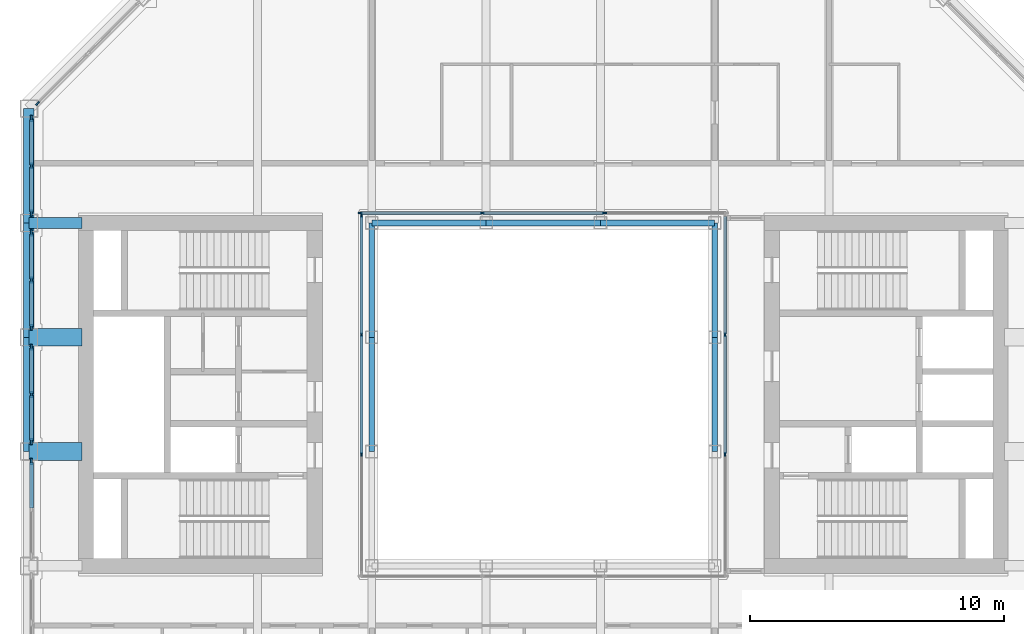
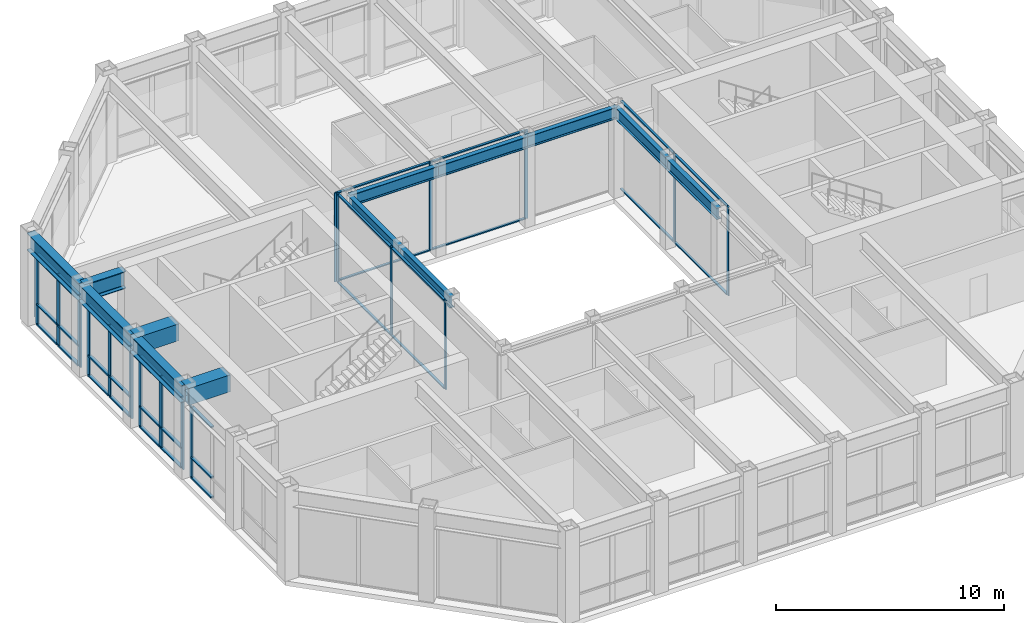
# One storey, part 4 of 15: 52 members, 13 beams, 8 elements without a shape of their own.
"""IFC4 building model written with IfcOpenShell, lengths in metres."""

from ifc_helpers import new_model, si_unit, direction, frame, origin, origin_2d, place, context, subcontext, project, spatial, rectangle, hollow_rectangle, i_section, extrude, material, material_profile, profile_set, type_object, element, aggregate, save


model = new_model("IFC4")

# Units and contexts
model_context = context("Model", 3, precision=1e-05, world=origin(), true_north=direction((0.0, 1.0)))
body_context = subcontext(model_context, "Body", "Model", "MODEL_VIEW")
ifc_project = project(units=[si_unit("LENGTHUNIT", "METRE"), si_unit("AREAUNIT", "SQUARE_METRE"), si_unit("VOLUMEUNIT", "CUBIC_METRE"), si_unit("PLANEANGLEUNIT", "RADIAN"), si_unit("MASSUNIT", "GRAM", prefix="KILO")], contexts=[model_context])

# Site, building, storey
site_placement = place(None, origin())
site = spatial("IfcSite", under=ifc_project, at=site_placement, CompositionType="ELEMENT")
building_placement = place(site_placement, origin())
building = spatial("IfcBuilding", under=site, at=building_placement, Name="Msasa Ring Tower", CompositionType="ELEMENT")
storey_placement = place(building_placement, frame((0.0, 0.0, 257.050048828125)))
storey = spatial("IfcBuildingStorey", under=building, at=storey_placement, Name="L67", CompositionType="ELEMENT", Elevation=257.050048828125)

# Curtain wall, member
ifc_material_1 = material(Name="Aluminium curtain wall with clear glass", Category="aluminium")
curtain_wall_type_1 = type_object("IfcCurtainWallType", Name="CW-C CHAMFER CORNER CURTAIN WALL", PredefinedType="NOTDEFINED", material=ifc_material_1)
curtain_wall_1_placement = place(storey_placement, origin())
curtain_wall_1 = element("IfcCurtainWall", 1, at=curtain_wall_1_placement, inside=storey, type_object=curtain_wall_type_1, Name="Chamfer corner curtain wall NW L67", PredefinedType="NOTDEFINED")
ifc_material_2 = material(Name="Aluminium mullion", Category="aluminium")
ifc_material_profile_1 = material_profile(ifc_material_2, rectangle(XDim=0.06494140625, YDim=0.179931640625, at=origin_2d()), Name="AL 65x180")
ifc_profile_set_1 = profile_set([ifc_material_profile_1], Name="Aluminium mullion")
member_type_1 = type_object("IfcMemberType", Name="CW-C MULLION 65x180", PredefinedType="MULLION", material=ifc_profile_set_1)
member_1_placement = place(storey_placement, frame((-19.9052734375, 11.453369140625, 0.0), z_axis=(0.0, 0.0, 1.0), x_axis=(0.707106781187, -0.707106781187, 0.0)))
member_1 = element("IfcMember", 2, at=member_1_placement, type_object=member_type_1, Name="CW-C mullion 3", PredefinedType="MULLION", context=body_context, shape_type="SweptSolid", body=[
    extrude(rectangle(XDim=0.06494140625, YDim=0.179931640625, at=origin_2d()), origin(), (0.0, 0.0, 1.0), 3.828857421875),
])
aggregate(curtain_wall_1, [member_1])

ifc_material_3 = material(Name="Aluminium curtain wall with clear glass", Category="aluminium")
curtain_wall_type_2 = type_object("IfcCurtainWallType", Name="CW-S SKY LOBBY CURTAIN WALL", PredefinedType="NOTDEFINED", material=ifc_material_3)
curtain_wall_2_placement = place(storey_placement, origin())
curtain_wall_2 = element("IfcCurtainWall", 3, at=curtain_wall_2_placement, inside=storey, type_object=curtain_wall_type_2, Name="Sky lobby curtain wall W L67", PredefinedType="NOTDEFINED")
ifc_material_4 = material(Name="Aluminium mullion", Category="aluminium")
ifc_material_profile_2 = material_profile(ifc_material_4, rectangle(XDim=0.074951171875, YDim=0.25, at=origin_2d()), Name="AL 75x250")
ifc_profile_set_2 = profile_set([ifc_material_profile_2], Name="Aluminium mullion")
member_type_2 = type_object("IfcMemberType", Name="CW-S MULLION 75x250", PredefinedType="MULLION", material=ifc_profile_set_2)
member_2_placement = place(storey_placement, frame((-20.14990234375, -2.642578125, 0.0), z_axis=(0.0, 0.0, 1.0), x_axis=(-1.0, 0.0, 0.0)))
member_2 = element("IfcMember", 4, at=member_2_placement, type_object=member_type_2, Name="CW-S mullion 3", PredefinedType="MULLION", context=body_context, shape_type="SweptSolid", body=[
    extrude(rectangle(XDim=0.074951171875, YDim=0.25, at=origin_2d()), origin(), (0.0, 0.0, 1.0), 3.828857421875),
])

# Curtain wall, members
curtain_wall_3_placement = place(storey_placement, origin())
curtain_wall_3 = element("IfcCurtainWall", 5, at=curtain_wall_3_placement, inside=storey, type_object=curtain_wall_type_2, Name="Sky lobby curtain wall W L67", PredefinedType="NOTDEFINED")
member_3_placement = place(storey_placement, frame((-20.14990234375, -1.857421875, 0.0), z_axis=(0.0, 0.0, 1.0), x_axis=(-1.0, 0.0, 0.0)))
member_3 = element("IfcMember", 6, at=member_3_placement, type_object=member_type_2, Name="CW-S mullion 1", PredefinedType="MULLION", context=body_context, shape_type="SweptSolid", body=[
    extrude(rectangle(XDim=0.074951171875, YDim=0.25, at=origin_2d()), origin(), (0.0, 0.0, 1.0), 3.828857421875),
])
member_4_placement = place(storey_placement, frame((-20.14990234375, 0.0, 0.0), z_axis=(0.0, 0.0, 1.0), x_axis=(-1.0, 0.0, 0.0)))
member_4 = element("IfcMember", 7, at=member_4_placement, type_object=member_type_2, Name="CW-S mullion 2", PredefinedType="MULLION", context=body_context, shape_type="SweptSolid", body=[
    extrude(rectangle(XDim=0.074951171875, YDim=0.25, at=origin_2d()), origin(), (0.0, 0.0, 1.0), 3.828857421875),
])
member_5_placement = place(storey_placement, frame((-20.14990234375, 1.857421875, 0.0), z_axis=(0.0, 0.0, 1.0), x_axis=(-1.0, 0.0, 0.0)))
member_5 = element("IfcMember", 8, at=member_5_placement, type_object=member_type_2, Name="CW-S mullion 3", PredefinedType="MULLION", context=body_context, shape_type="SweptSolid", body=[
    extrude(rectangle(XDim=0.074951171875, YDim=0.25, at=origin_2d()), origin(), (0.0, 0.0, 1.0), 3.828857421875),
])

curtain_wall_4_placement = place(storey_placement, origin())
curtain_wall_4 = element("IfcCurtainWall", 9, at=curtain_wall_4_placement, inside=storey, type_object=curtain_wall_type_2, Name="Sky lobby curtain wall W L67", PredefinedType="NOTDEFINED")
member_6_placement = place(storey_placement, frame((-20.14990234375, 2.642578125, 0.0), z_axis=(0.0, 0.0, 1.0), x_axis=(-1.0, 0.0, 0.0)))
member_6 = element("IfcMember", 10, at=member_6_placement, type_object=member_type_2, Name="CW-S mullion 1", PredefinedType="MULLION", context=body_context, shape_type="SweptSolid", body=[
    extrude(rectangle(XDim=0.074951171875, YDim=0.25, at=origin_2d()), origin(), (0.0, 0.0, 1.0), 3.828857421875),
])
member_7_placement = place(storey_placement, frame((-20.14990234375, 4.5, 0.0), z_axis=(0.0, 0.0, 1.0), x_axis=(-1.0, 0.0, 0.0)))
member_7 = element("IfcMember", 11, at=member_7_placement, type_object=member_type_2, Name="CW-S mullion 2", PredefinedType="MULLION", context=body_context, shape_type="SweptSolid", body=[
    extrude(rectangle(XDim=0.074951171875, YDim=0.25, at=origin_2d()), origin(), (0.0, 0.0, 1.0), 3.828857421875),
])
member_8_placement = place(storey_placement, frame((-20.14990234375, 6.357421875, 0.0), z_axis=(0.0, 0.0, 1.0), x_axis=(-1.0, 0.0, 0.0)))
member_8 = element("IfcMember", 12, at=member_8_placement, type_object=member_type_2, Name="CW-S mullion 3", PredefinedType="MULLION", context=body_context, shape_type="SweptSolid", body=[
    extrude(rectangle(XDim=0.074951171875, YDim=0.25, at=origin_2d()), origin(), (0.0, 0.0, 1.0), 3.828857421875),
])

curtain_wall_5_placement = place(storey_placement, origin())
curtain_wall_5 = element("IfcCurtainWall", 13, at=curtain_wall_5_placement, inside=storey, type_object=curtain_wall_type_2, Name="Sky lobby curtain wall W L67", PredefinedType="NOTDEFINED")
member_9_placement = place(storey_placement, frame((-20.14990234375, 7.142578125, 0.0), z_axis=(0.0, 0.0, 1.0), x_axis=(-1.0, 0.0, 0.0)))
member_9 = element("IfcMember", 14, at=member_9_placement, type_object=member_type_2, Name="CW-S mullion 1", PredefinedType="MULLION", context=body_context, shape_type="SweptSolid", body=[
    extrude(rectangle(XDim=0.074951171875, YDim=0.25, at=origin_2d()), origin(), (0.0, 0.0, 1.0), 3.828857421875),
])
member_10_placement = place(storey_placement, frame((-20.14990234375, 9.0, 0.0), z_axis=(0.0, 0.0, 1.0), x_axis=(-1.0, 0.0, 0.0)))
member_10 = element("IfcMember", 15, at=member_10_placement, type_object=member_type_2, Name="CW-S mullion 2", PredefinedType="MULLION", context=body_context, shape_type="SweptSolid", body=[
    extrude(rectangle(XDim=0.074951171875, YDim=0.25, at=origin_2d()), origin(), (0.0, 0.0, 1.0), 3.828857421875),
])
member_11_placement = place(storey_placement, frame((-20.14990234375, 10.857421875, 0.0), z_axis=(0.0, 0.0, 1.0), x_axis=(-1.0, 0.0, 0.0)))
member_11 = element("IfcMember", 16, at=member_11_placement, type_object=member_type_2, Name="CW-S mullion 3", PredefinedType="MULLION", context=body_context, shape_type="SweptSolid", body=[
    extrude(rectangle(XDim=0.074951171875, YDim=0.25, at=origin_2d()), origin(), (0.0, 0.0, 1.0), 3.828857421875),
])

# Member
ifc_material_5 = material(Name="Aluminium transom", Category="aluminium")
ifc_material_profile_3 = material_profile(ifc_material_5, rectangle(XDim=0.159912109375, YDim=0.074951171875, at=origin_2d()), Name="AL 75x160")
ifc_profile_set_3 = profile_set([ifc_material_profile_3], Name="Aluminium transom")
member_type_3 = type_object("IfcMemberType", Name="CW-S TRANSOM 75x160", PredefinedType="USERDEFINED", material=ifc_profile_set_3)
member_12_placement = place(storey_placement, frame((-20.14990234375, -4.46240234375, 0.037353515625), z_axis=(0.0, 1.0, 0.0), x_axis=(-1.0, 0.0, 0.0)))
member_12 = element("IfcMember", 17, at=member_12_placement, type_object=member_type_3, Name="CW-S transom 2.1", ObjectType="TRANSOM", PredefinedType="USERDEFINED", context=body_context, shape_type="SweptSolid", body=[
    extrude(rectangle(XDim=0.159912109375, YDim=0.074951171875, at=origin_2d()), origin(), (0.0, 0.0, 1.0), 1.782470703125),
])

member_13_placement = place(storey_placement, frame((-20.14990234375, -4.46240234375, 1.099853515625), z_axis=(0.0, 1.0, 0.0), x_axis=(-1.0, 0.0, 0.0)))
member_13 = element("IfcMember", 18, at=member_13_placement, type_object=member_type_3, Name="CW-S transom 2.2", ObjectType="TRANSOM", PredefinedType="USERDEFINED", context=body_context, shape_type="SweptSolid", body=[
    extrude(rectangle(XDim=0.159912109375, YDim=0.074951171875, at=origin_2d()), origin(), (0.0, 0.0, 1.0), 1.782470703125),
])

member_14_placement = place(storey_placement, frame((-20.14990234375, -4.46240234375, 3.79150390625), z_axis=(0.0, 1.0, 0.0), x_axis=(-1.0, 0.0, 0.0)))
member_14 = element("IfcMember", 19, at=member_14_placement, type_object=member_type_3, Name="CW-S transom 2.3", ObjectType="TRANSOM", PredefinedType="USERDEFINED", context=body_context, shape_type="SweptSolid", body=[
    extrude(rectangle(XDim=0.159912109375, YDim=0.074951171875, at=origin_2d()), origin(), (0.0, 0.0, 1.0), 1.782470703125),
])

aggregate(curtain_wall_2, [member_2, member_12, member_13, member_14])

member_15_placement = place(storey_placement, frame((-20.14990234375, -1.820068359375, 0.037353515625), z_axis=(0.0, 1.0, 0.0), x_axis=(-1.0, 0.0, 0.0)))
member_15 = element("IfcMember", 20, at=member_15_placement, type_object=member_type_3, Name="CW-S transom 1.1", ObjectType="TRANSOM", PredefinedType="USERDEFINED", context=body_context, shape_type="SweptSolid", body=[
    extrude(rectangle(XDim=0.159912109375, YDim=0.074951171875, at=origin_2d()), origin(), (0.0, 0.0, 1.0), 1.782470703125),
])

member_16_placement = place(storey_placement, frame((-20.14990234375, -1.820068359375, 1.099853515625), z_axis=(0.0, 1.0, 0.0), x_axis=(-1.0, 0.0, 0.0)))
member_16 = element("IfcMember", 21, at=member_16_placement, type_object=member_type_3, Name="CW-S transom 1.2", ObjectType="TRANSOM", PredefinedType="USERDEFINED", context=body_context, shape_type="SweptSolid", body=[
    extrude(rectangle(XDim=0.159912109375, YDim=0.074951171875, at=origin_2d()), origin(), (0.0, 0.0, 1.0), 1.782470703125),
])

member_17_placement = place(storey_placement, frame((-20.14990234375, -1.820068359375, 3.79150390625), z_axis=(0.0, 1.0, 0.0), x_axis=(-1.0, 0.0, 0.0)))
member_17 = element("IfcMember", 22, at=member_17_placement, type_object=member_type_3, Name="CW-S transom 1.3", ObjectType="TRANSOM", PredefinedType="USERDEFINED", context=body_context, shape_type="SweptSolid", body=[
    extrude(rectangle(XDim=0.159912109375, YDim=0.074951171875, at=origin_2d()), origin(), (0.0, 0.0, 1.0), 1.782470703125),
])

member_18_placement = place(storey_placement, frame((-20.14990234375, 0.03759765625, 0.037353515625), z_axis=(0.0, 1.0, 0.0), x_axis=(-1.0, 0.0, 0.0)))
member_18 = element("IfcMember", 23, at=member_18_placement, type_object=member_type_3, Name="CW-S transom 2.1", ObjectType="TRANSOM", PredefinedType="USERDEFINED", context=body_context, shape_type="SweptSolid", body=[
    extrude(rectangle(XDim=0.159912109375, YDim=0.074951171875, at=origin_2d()), origin(), (0.0, 0.0, 1.0), 1.782470703125),
])

member_19_placement = place(storey_placement, frame((-20.14990234375, 0.03759765625, 1.099853515625), z_axis=(0.0, 1.0, 0.0), x_axis=(-1.0, 0.0, 0.0)))
member_19 = element("IfcMember", 24, at=member_19_placement, type_object=member_type_3, Name="CW-S transom 2.2", ObjectType="TRANSOM", PredefinedType="USERDEFINED", context=body_context, shape_type="SweptSolid", body=[
    extrude(rectangle(XDim=0.159912109375, YDim=0.074951171875, at=origin_2d()), origin(), (0.0, 0.0, 1.0), 1.782470703125),
])

member_20_placement = place(storey_placement, frame((-20.14990234375, 0.03759765625, 3.79150390625), z_axis=(0.0, 1.0, 0.0), x_axis=(-1.0, 0.0, 0.0)))
member_20 = element("IfcMember", 25, at=member_20_placement, type_object=member_type_3, Name="CW-S transom 2.3", ObjectType="TRANSOM", PredefinedType="USERDEFINED", context=body_context, shape_type="SweptSolid", body=[
    extrude(rectangle(XDim=0.159912109375, YDim=0.074951171875, at=origin_2d()), origin(), (0.0, 0.0, 1.0), 1.782470703125),
])

aggregate(curtain_wall_3, [member_3, member_4, member_5, member_15, member_16, member_17, member_18, member_19, member_20])

member_21_placement = place(storey_placement, frame((-20.14990234375, 2.679931640625, 0.037353515625), z_axis=(0.0, 1.0, 0.0), x_axis=(-1.0, 0.0, 0.0)))
member_21 = element("IfcMember", 26, at=member_21_placement, type_object=member_type_3, Name="CW-S transom 1.1", ObjectType="TRANSOM", PredefinedType="USERDEFINED", context=body_context, shape_type="SweptSolid", body=[
    extrude(rectangle(XDim=0.159912109375, YDim=0.074951171875, at=origin_2d()), origin(), (0.0, 0.0, 1.0), 1.782470703125),
])

member_22_placement = place(storey_placement, frame((-20.14990234375, 2.679931640625, 1.099853515625), z_axis=(0.0, 1.0, 0.0), x_axis=(-1.0, 0.0, 0.0)))
member_22 = element("IfcMember", 27, at=member_22_placement, type_object=member_type_3, Name="CW-S transom 1.2", ObjectType="TRANSOM", PredefinedType="USERDEFINED", context=body_context, shape_type="SweptSolid", body=[
    extrude(rectangle(XDim=0.159912109375, YDim=0.074951171875, at=origin_2d()), origin(), (0.0, 0.0, 1.0), 1.782470703125),
])

member_23_placement = place(storey_placement, frame((-20.14990234375, 2.679931640625, 3.79150390625), z_axis=(0.0, 1.0, 0.0), x_axis=(-1.0, 0.0, 0.0)))
member_23 = element("IfcMember", 28, at=member_23_placement, type_object=member_type_3, Name="CW-S transom 1.3", ObjectType="TRANSOM", PredefinedType="USERDEFINED", context=body_context, shape_type="SweptSolid", body=[
    extrude(rectangle(XDim=0.159912109375, YDim=0.074951171875, at=origin_2d()), origin(), (0.0, 0.0, 1.0), 1.782470703125),
])

member_24_placement = place(storey_placement, frame((-20.14990234375, 4.53759765625, 0.037353515625), z_axis=(0.0, 1.0, 0.0), x_axis=(-1.0, 0.0, 0.0)))
member_24 = element("IfcMember", 29, at=member_24_placement, type_object=member_type_3, Name="CW-S transom 2.1", ObjectType="TRANSOM", PredefinedType="USERDEFINED", context=body_context, shape_type="SweptSolid", body=[
    extrude(rectangle(XDim=0.159912109375, YDim=0.074951171875, at=origin_2d()), origin(), (0.0, 0.0, 1.0), 1.782470703125),
])

member_25_placement = place(storey_placement, frame((-20.14990234375, 4.53759765625, 1.099853515625), z_axis=(0.0, 1.0, 0.0), x_axis=(-1.0, 0.0, 0.0)))
member_25 = element("IfcMember", 30, at=member_25_placement, type_object=member_type_3, Name="CW-S transom 2.2", ObjectType="TRANSOM", PredefinedType="USERDEFINED", context=body_context, shape_type="SweptSolid", body=[
    extrude(rectangle(XDim=0.159912109375, YDim=0.074951171875, at=origin_2d()), origin(), (0.0, 0.0, 1.0), 1.782470703125),
])

member_26_placement = place(storey_placement, frame((-20.14990234375, 4.53759765625, 3.79150390625), z_axis=(0.0, 1.0, 0.0), x_axis=(-1.0, 0.0, 0.0)))
member_26 = element("IfcMember", 31, at=member_26_placement, type_object=member_type_3, Name="CW-S transom 2.3", ObjectType="TRANSOM", PredefinedType="USERDEFINED", context=body_context, shape_type="SweptSolid", body=[
    extrude(rectangle(XDim=0.159912109375, YDim=0.074951171875, at=origin_2d()), origin(), (0.0, 0.0, 1.0), 1.782470703125),
])

aggregate(curtain_wall_4, [member_6, member_7, member_8, member_21, member_22, member_23, member_24, member_25, member_26])

member_27_placement = place(storey_placement, frame((-20.14990234375, 7.179931640625, 0.037353515625), z_axis=(0.0, 1.0, 0.0), x_axis=(-1.0, 0.0, 0.0)))
member_27 = element("IfcMember", 32, at=member_27_placement, type_object=member_type_3, Name="CW-S transom 1.1", ObjectType="TRANSOM", PredefinedType="USERDEFINED", context=body_context, shape_type="SweptSolid", body=[
    extrude(rectangle(XDim=0.159912109375, YDim=0.074951171875, at=origin_2d()), origin(), (0.0, 0.0, 1.0), 1.782470703125),
])

member_28_placement = place(storey_placement, frame((-20.14990234375, 7.179931640625, 1.099853515625), z_axis=(0.0, 1.0, 0.0), x_axis=(-1.0, 0.0, 0.0)))
member_28 = element("IfcMember", 33, at=member_28_placement, type_object=member_type_3, Name="CW-S transom 1.2", ObjectType="TRANSOM", PredefinedType="USERDEFINED", context=body_context, shape_type="SweptSolid", body=[
    extrude(rectangle(XDim=0.159912109375, YDim=0.074951171875, at=origin_2d()), origin(), (0.0, 0.0, 1.0), 1.782470703125),
])

member_29_placement = place(storey_placement, frame((-20.14990234375, 7.179931640625, 3.79150390625), z_axis=(0.0, 1.0, 0.0), x_axis=(-1.0, 0.0, 0.0)))
member_29 = element("IfcMember", 34, at=member_29_placement, type_object=member_type_3, Name="CW-S transom 1.3", ObjectType="TRANSOM", PredefinedType="USERDEFINED", context=body_context, shape_type="SweptSolid", body=[
    extrude(rectangle(XDim=0.159912109375, YDim=0.074951171875, at=origin_2d()), origin(), (0.0, 0.0, 1.0), 1.782470703125),
])

member_30_placement = place(storey_placement, frame((-20.14990234375, 9.03759765625, 0.037353515625), z_axis=(0.0, 1.0, 0.0), x_axis=(-1.0, 0.0, 0.0)))
member_30 = element("IfcMember", 35, at=member_30_placement, type_object=member_type_3, Name="CW-S transom 2.1", ObjectType="TRANSOM", PredefinedType="USERDEFINED", context=body_context, shape_type="SweptSolid", body=[
    extrude(rectangle(XDim=0.159912109375, YDim=0.074951171875, at=origin_2d()), origin(), (0.0, 0.0, 1.0), 1.782470703125),
])

member_31_placement = place(storey_placement, frame((-20.14990234375, 9.03759765625, 1.099853515625), z_axis=(0.0, 1.0, 0.0), x_axis=(-1.0, 0.0, 0.0)))
member_31 = element("IfcMember", 36, at=member_31_placement, type_object=member_type_3, Name="CW-S transom 2.2", ObjectType="TRANSOM", PredefinedType="USERDEFINED", context=body_context, shape_type="SweptSolid", body=[
    extrude(rectangle(XDim=0.159912109375, YDim=0.074951171875, at=origin_2d()), origin(), (0.0, 0.0, 1.0), 1.782470703125),
])

member_32_placement = place(storey_placement, frame((-20.14990234375, 9.03759765625, 3.79150390625), z_axis=(0.0, 1.0, 0.0), x_axis=(-1.0, 0.0, 0.0)))
member_32 = element("IfcMember", 37, at=member_32_placement, type_object=member_type_3, Name="CW-S transom 2.3", ObjectType="TRANSOM", PredefinedType="USERDEFINED", context=body_context, shape_type="SweptSolid", body=[
    extrude(rectangle(XDim=0.159912109375, YDim=0.074951171875, at=origin_2d()), origin(), (0.0, 0.0, 1.0), 1.782470703125),
])

aggregate(curtain_wall_5, [member_9, member_10, member_11, member_27, member_28, member_29, member_30, member_31, member_32])

# Curtain wall, members
ifc_material_6 = material(Name="Aluminium curtain wall with clear glass", Category="aluminium")
curtain_wall_type_3 = type_object("IfcCurtainWallType", Name="CW-W LIGHT WELL CURTAIN WALL", PredefinedType="NOTDEFINED", material=ifc_material_6)
curtain_wall_6_placement = place(storey_placement, origin())
curtain_wall_6 = element("IfcCurtainWall", 38, at=curtain_wall_6_placement, inside=storey, type_object=curtain_wall_type_3, Name="Light well curtain wall N L67", PredefinedType="NOTDEFINED")
ifc_material_7 = material(Name="Aluminium mullion", Category="aluminium")
ifc_material_profile_4 = material_profile(ifc_material_7, rectangle(XDim=0.06005859375, YDim=0.159912109375, at=origin_2d()), Name="AL 60x160")
ifc_profile_set_4 = profile_set([ifc_material_profile_4], Name="Aluminium mullion")
member_type_4 = type_object("IfcMemberType", Name="CW-W MULLION 60x160", PredefinedType="MULLION", material=ifc_profile_set_4)
member_33_placement = place(storey_placement, frame((-7.199951171875, 7.14990234375, 0.0), z_axis=(0.0, 0.0, 1.0), x_axis=(0.0, 1.0, 0.0)))
member_33 = element("IfcMember", 39, at=member_33_placement, type_object=member_type_4, Name="CW-W mullion 1", PredefinedType="MULLION", context=body_context, shape_type="SweptSolid", body=[
    extrude(rectangle(XDim=0.06005859375, YDim=0.159912109375, at=origin_2d()), origin(), (0.0, 0.0, 1.0), 4.75),
])
member_34_placement = place(storey_placement, frame((-2.409912109375, 7.14990234375, 0.0), z_axis=(0.0, 0.0, 1.0), x_axis=(0.0, 1.0, 0.0)))
member_34 = element("IfcMember", 40, at=member_34_placement, type_object=member_type_4, Name="CW-W mullion 2", PredefinedType="MULLION", context=body_context, shape_type="SweptSolid", body=[
    extrude(rectangle(XDim=0.06005859375, YDim=0.159912109375, at=origin_2d()), origin(), (0.0, 0.0, 1.0), 4.75),
])
member_35_placement = place(storey_placement, frame((2.409912109375, 7.14990234375, 0.0), z_axis=(0.0, 0.0, 1.0), x_axis=(0.0, 1.0, 0.0)))
member_35 = element("IfcMember", 41, at=member_35_placement, type_object=member_type_4, Name="CW-W mullion 3", PredefinedType="MULLION", context=body_context, shape_type="SweptSolid", body=[
    extrude(rectangle(XDim=0.06005859375, YDim=0.159912109375, at=origin_2d()), origin(), (0.0, 0.0, 1.0), 4.75),
])

curtain_wall_7_placement = place(storey_placement, origin())
curtain_wall_7 = element("IfcCurtainWall", 42, at=curtain_wall_7_placement, inside=storey, type_object=curtain_wall_type_3, Name="Light well curtain wall E L67", PredefinedType="NOTDEFINED")
member_36_placement = place(storey_placement, frame((7.14990234375, -2.356689453125, 0.0), z_axis=(0.0, 0.0, 1.0), x_axis=(-1.0, 0.0, 0.0)))
member_36 = element("IfcMember", 43, at=member_36_placement, type_object=member_type_4, Name="CW-W mullion 2", PredefinedType="MULLION", context=body_context, shape_type="SweptSolid", body=[
    extrude(rectangle(XDim=0.06005859375, YDim=0.159912109375, at=origin_2d()), origin(), (0.0, 0.0, 1.0), 4.75),
])
member_37_placement = place(storey_placement, frame((7.14990234375, 2.356689453125, 0.0), z_axis=(0.0, 0.0, 1.0), x_axis=(-1.0, 0.0, 0.0)))
member_37 = element("IfcMember", 44, at=member_37_placement, type_object=member_type_4, Name="CW-W mullion 3", PredefinedType="MULLION", context=body_context, shape_type="SweptSolid", body=[
    extrude(rectangle(XDim=0.06005859375, YDim=0.159912109375, at=origin_2d()), origin(), (0.0, 0.0, 1.0), 4.75),
])

curtain_wall_8_placement = place(storey_placement, origin())
curtain_wall_8 = element("IfcCurtainWall", 45, at=curtain_wall_8_placement, inside=storey, type_object=curtain_wall_type_3, Name="Light well curtain wall W L67", PredefinedType="NOTDEFINED")
member_38_placement = place(storey_placement, frame((-7.14990234375, -2.356689453125, 0.0), z_axis=(0.0, 0.0, 1.0), x_axis=(-1.0, 0.0, 0.0)))
member_38 = element("IfcMember", 46, at=member_38_placement, type_object=member_type_4, Name="CW-W mullion 2", PredefinedType="MULLION", context=body_context, shape_type="SweptSolid", body=[
    extrude(rectangle(XDim=0.06005859375, YDim=0.159912109375, at=origin_2d()), origin(), (0.0, 0.0, 1.0), 4.75),
])
member_39_placement = place(storey_placement, frame((-7.14990234375, 2.356689453125, 0.0), z_axis=(0.0, 0.0, 1.0), x_axis=(-1.0, 0.0, 0.0)))
member_39 = element("IfcMember", 47, at=member_39_placement, type_object=member_type_4, Name="CW-W mullion 3", PredefinedType="MULLION", context=body_context, shape_type="SweptSolid", body=[
    extrude(rectangle(XDim=0.06005859375, YDim=0.159912109375, at=origin_2d()), origin(), (0.0, 0.0, 1.0), 4.75),
])
member_40_placement = place(storey_placement, frame((-7.14990234375, 7.0400390625, 0.0), z_axis=(0.0, 0.0, 1.0), x_axis=(-1.0, 0.0, 0.0)))
member_40 = element("IfcMember", 48, at=member_40_placement, type_object=member_type_4, Name="CW-W mullion 4", PredefinedType="MULLION", context=body_context, shape_type="SweptSolid", body=[
    extrude(rectangle(XDim=0.06005859375, YDim=0.159912109375, at=origin_2d()), origin(), (0.0, 0.0, 1.0), 4.75),
])

# Member
ifc_material_8 = material(Name="Aluminium transom", Category="aluminium")
ifc_material_profile_5 = material_profile(ifc_material_8, rectangle(XDim=0.1201171875, YDim=0.06005859375, at=origin_2d()), Name="AL 60x120")
ifc_profile_set_5 = profile_set([ifc_material_profile_5], Name="Aluminium transom")
member_type_5 = type_object("IfcMemberType", Name="CW-W TRANSOM 60x120", PredefinedType="USERDEFINED", material=ifc_profile_set_5)
member_41_placement = place(storey_placement, frame((-7.169921875, 7.14990234375, 0.030029296875), z_axis=(1.0, 0.0, 0.0), x_axis=(0.0, 1.0, 0.0)))
member_41 = element("IfcMember", 49, at=member_41_placement, type_object=member_type_5, Name="CW-W transom 1.1", ObjectType="TRANSOM", PredefinedType="USERDEFINED", context=body_context, shape_type="SweptSolid", body=[
    extrude(rectangle(XDim=0.1201171875, YDim=0.06005859375, at=origin_2d()), origin(), (0.0, 0.0, 1.0), 4.72998046875),
])

member_42_placement = place(storey_placement, frame((-7.169921875, 7.14990234375, 4.719970703125), z_axis=(1.0, 0.0, 0.0), x_axis=(0.0, 1.0, 0.0)))
member_42 = element("IfcMember", 50, at=member_42_placement, type_object=member_type_5, Name="CW-W transom 1.2", ObjectType="TRANSOM", PredefinedType="USERDEFINED", context=body_context, shape_type="SweptSolid", body=[
    extrude(rectangle(XDim=0.1201171875, YDim=0.06005859375, at=origin_2d()), origin(), (0.0, 0.0, 1.0), 4.72998046875),
])

member_43_placement = place(storey_placement, frame((-2.3798828125, 7.14990234375, 0.030029296875), z_axis=(1.0, 0.0, 0.0), x_axis=(0.0, 1.0, 0.0)))
member_43 = element("IfcMember", 51, at=member_43_placement, type_object=member_type_5, Name="CW-W transom 2.1", ObjectType="TRANSOM", PredefinedType="USERDEFINED", context=body_context, shape_type="SweptSolid", body=[
    extrude(rectangle(XDim=0.1201171875, YDim=0.06005859375, at=origin_2d()), origin(), (0.0, 0.0, 1.0), 4.759765625),
])

member_44_placement = place(storey_placement, frame((-2.3798828125, 7.14990234375, 4.719970703125), z_axis=(1.0, 0.0, 0.0), x_axis=(0.0, 1.0, 0.0)))
member_44 = element("IfcMember", 52, at=member_44_placement, type_object=member_type_5, Name="CW-W transom 2.2", ObjectType="TRANSOM", PredefinedType="USERDEFINED", context=body_context, shape_type="SweptSolid", body=[
    extrude(rectangle(XDim=0.1201171875, YDim=0.06005859375, at=origin_2d()), origin(), (0.0, 0.0, 1.0), 4.759765625),
])

aggregate(curtain_wall_6, [member_33, member_34, member_35, member_41, member_42, member_43, member_44])

member_45_placement = place(storey_placement, frame((7.14990234375, -2.32666015625, 0.030029296875), z_axis=(0.0, 1.0, 0.0), x_axis=(-1.0, 0.0, 0.0)))
member_45 = element("IfcMember", 53, at=member_45_placement, type_object=member_type_5, Name="CW-W transom 2.1", ObjectType="TRANSOM", PredefinedType="USERDEFINED", context=body_context, shape_type="SweptSolid", body=[
    extrude(rectangle(XDim=0.1201171875, YDim=0.06005859375, at=origin_2d()), origin(), (0.0, 0.0, 1.0), 4.6533203125),
])

member_46_placement = place(storey_placement, frame((7.14990234375, -2.32666015625, 4.719970703125), z_axis=(0.0, 1.0, 0.0), x_axis=(-1.0, 0.0, 0.0)))
member_46 = element("IfcMember", 54, at=member_46_placement, type_object=member_type_5, Name="CW-W transom 2.2", ObjectType="TRANSOM", PredefinedType="USERDEFINED", context=body_context, shape_type="SweptSolid", body=[
    extrude(rectangle(XDim=0.1201171875, YDim=0.06005859375, at=origin_2d()), origin(), (0.0, 0.0, 1.0), 4.6533203125),
])

member_47_placement = place(storey_placement, frame((7.14990234375, 2.38671875, 0.030029296875), z_axis=(0.0, 1.0, 0.0), x_axis=(-1.0, 0.0, 0.0)))
member_47 = element("IfcMember", 55, at=member_47_placement, type_object=member_type_5, Name="CW-W transom 3.1", ObjectType="TRANSOM", PredefinedType="USERDEFINED", context=body_context, shape_type="SweptSolid", body=[
    extrude(rectangle(XDim=0.1201171875, YDim=0.06005859375, at=origin_2d()), origin(), (0.0, 0.0, 1.0), 4.623291015625),
])

member_48_placement = place(storey_placement, frame((7.14990234375, 2.38671875, 4.719970703125), z_axis=(0.0, 1.0, 0.0), x_axis=(-1.0, 0.0, 0.0)))
member_48 = element("IfcMember", 56, at=member_48_placement, type_object=member_type_5, Name="CW-W transom 3.2", ObjectType="TRANSOM", PredefinedType="USERDEFINED", context=body_context, shape_type="SweptSolid", body=[
    extrude(rectangle(XDim=0.1201171875, YDim=0.06005859375, at=origin_2d()), origin(), (0.0, 0.0, 1.0), 4.623291015625),
])

aggregate(curtain_wall_7, [member_36, member_37, member_45, member_46, member_47, member_48])

member_49_placement = place(storey_placement, frame((-7.14990234375, -2.32666015625, 0.030029296875), z_axis=(0.0, 1.0, 0.0), x_axis=(-1.0, 0.0, 0.0)))
member_49 = element("IfcMember", 57, at=member_49_placement, type_object=member_type_5, Name="CW-W transom 2.1", ObjectType="TRANSOM", PredefinedType="USERDEFINED", context=body_context, shape_type="SweptSolid", body=[
    extrude(rectangle(XDim=0.1201171875, YDim=0.06005859375, at=origin_2d()), origin(), (0.0, 0.0, 1.0), 4.6533203125),
])

member_50_placement = place(storey_placement, frame((-7.14990234375, -2.32666015625, 4.719970703125), z_axis=(0.0, 1.0, 0.0), x_axis=(-1.0, 0.0, 0.0)))
member_50 = element("IfcMember", 58, at=member_50_placement, type_object=member_type_5, Name="CW-W transom 2.2", ObjectType="TRANSOM", PredefinedType="USERDEFINED", context=body_context, shape_type="SweptSolid", body=[
    extrude(rectangle(XDim=0.1201171875, YDim=0.06005859375, at=origin_2d()), origin(), (0.0, 0.0, 1.0), 4.6533203125),
])

member_51_placement = place(storey_placement, frame((-7.14990234375, 2.38671875, 0.030029296875), z_axis=(0.0, 1.0, 0.0), x_axis=(-1.0, 0.0, 0.0)))
member_51 = element("IfcMember", 59, at=member_51_placement, type_object=member_type_5, Name="CW-W transom 3.1", ObjectType="TRANSOM", PredefinedType="USERDEFINED", context=body_context, shape_type="SweptSolid", body=[
    extrude(rectangle(XDim=0.1201171875, YDim=0.06005859375, at=origin_2d()), origin(), (0.0, 0.0, 1.0), 4.623291015625),
])

member_52_placement = place(storey_placement, frame((-7.14990234375, 2.38671875, 4.719970703125), z_axis=(0.0, 1.0, 0.0), x_axis=(-1.0, 0.0, 0.0)))
member_52 = element("IfcMember", 60, at=member_52_placement, type_object=member_type_5, Name="CW-W transom 3.2", ObjectType="TRANSOM", PredefinedType="USERDEFINED", context=body_context, shape_type="SweptSolid", body=[
    extrude(rectangle(XDim=0.1201171875, YDim=0.06005859375, at=origin_2d()), origin(), (0.0, 0.0, 1.0), 4.623291015625),
])

aggregate(curtain_wall_8, [member_38, member_39, member_40, member_49, member_50, member_51, member_52])

# Beams
ifc_material_9 = material(Name="Steel S355", Category="steel")
ifc_material_profile_6 = material_profile(ifc_material_9, hollow_rectangle(XDim=0.699951171875, YDim=0.89990234375, WallThickness=0.080078125, at=origin_2d()), Name="BOX 900x700x80")
ifc_profile_set_6 = profile_set([ifc_material_profile_6], Name="Steel S355")
beam_type_1 = type_object("IfcBeamType", Name="FB4 BOX 900x700x80", PredefinedType="BEAM", material=ifc_profile_set_6)
for number, where, z_axis, x_axis, name in (
    (61, (-20.25, -2.25, 4.300048828125), (1.0, 0.0, 0.0), (0.0, 1.0, 0.0), "Floor beam W -2.25 under L68"),
    (62, (-20.25, 2.25, 4.300048828125), (1.0, 0.0, 0.0), (0.0, 1.0, 0.0), "Floor beam W +2.25 under L68"),
):
    element("IfcBeam", number, at=place(storey_placement, frame(where, z_axis=z_axis, x_axis=x_axis)), inside=storey, type_object=beam_type_1, Name=name, PredefinedType="BEAM", context=body_context, shape_type="SweptSolid", body=[
        extrude(hollow_rectangle(XDim=0.699951171875, YDim=0.89990234375, WallThickness=0.080078125, at=origin_2d()), origin(), (0.0, 0.0, 1.0), 2.10009765625),
    ])
ifc_material_10 = material(Name="Steel S355", Category="steel")
ifc_material_profile_7 = material_profile(ifc_material_10, i_section(OverallWidth=0.42041015625, OverallDepth=0.9208984375, WebThickness=0.021484375, FlangeThickness=0.03662109375, FilletRadius=0.024169921875, at=origin_2d()), Name="UB 914x419x388")
ifc_profile_set_7 = profile_set([ifc_material_profile_7], Name="Steel S355")
beam_type_2 = type_object("IfcBeamType", Name="GB1 UB 914x419x388", PredefinedType="BEAM", material=ifc_profile_set_7)
beam_placement = place(storey_placement, frame((-18.14990234375, 6.75, 4.28955078125), z_axis=(-1.0, 0.0, 0.0), x_axis=(0.0, -1.0, 0.0)))
element("IfcBeam", 63, at=beam_placement, inside=storey, type_object=beam_type_2, Name="Girder W +6.75 under L68", PredefinedType="BEAM", context=body_context, shape_type="SweptSolid", body=[
    extrude(i_section(OverallWidth=0.42041015625, OverallDepth=0.9208984375, WebThickness=0.021484375, FlangeThickness=0.03662109375, FilletRadius=0.024169921875, at=origin_2d()), origin(), (0.0, 0.0, 1.0), 2.10009765625),
])
ifc_material_11 = material(Name="Steel S355", Category="steel")
ifc_material_profile_8 = material_profile(ifc_material_11, i_section(OverallWidth=0.230224609375, OverallDepth=0.6171875, WebThickness=0.01318359375, FlangeThickness=0.022216796875, FilletRadius=0.0126953125, at=origin_2d()), Name="UB 610x229x140")
ifc_profile_set_8 = profile_set([ifc_material_profile_8], Name="Steel S355")
beam_type_3 = type_object("IfcBeamType", Name="RB1 UB 610x229x140", PredefinedType="BEAM", material=ifc_profile_set_8)
for number, where, z_axis, x_axis, name in (
    (64, (6.75, -2.25, 4.44140625), (0.0, 1.0, 0.0), (-1.0, 0.0, 0.0), "Inner ring beam IR+6.75-2.25 under L68"),
    (65, (6.75, 2.25, 4.44140625), (0.0, 1.0, 0.0), (-1.0, 0.0, 0.0), "Inner ring beam IR+6.75+2.25 under L68"),
    (66, (6.75, 6.75, 4.44140625), (-1.0, 0.0, 0.0), (0.0, -1.0, 0.0), "Inner ring beam IR+6.75+6.75 under L68"),
    (67, (2.25, 6.75, 4.44140625), (-1.0, 0.0, 0.0), (0.0, -1.0, 0.0), "Inner ring beam IR+2.25+6.75 under L68"),
    (68, (-2.25, 6.75, 4.44140625), (-1.0, 0.0, 0.0), (0.0, -1.0, 0.0), "Inner ring beam IR-2.25+6.75 under L68"),
    (69, (-6.75, 6.75, 4.44140625), (0.0, -1.0, 0.0), (1.0, 0.0, 0.0), "Inner ring beam IR-6.75+6.75 under L68"),
    (70, (-6.75, 2.25, 4.44140625), (0.0, -1.0, 0.0), (1.0, 0.0, 0.0), "Inner ring beam IR-6.75+2.25 under L68"),
):
    element("IfcBeam", number, at=place(storey_placement, frame(where, z_axis=z_axis, x_axis=x_axis)), inside=storey, type_object=beam_type_3, Name=name, PredefinedType="BEAM", context=body_context, shape_type="SweptSolid", body=[
        extrude(i_section(OverallWidth=0.230224609375, OverallDepth=0.6171875, WebThickness=0.01318359375, FlangeThickness=0.022216796875, FilletRadius=0.0126953125, at=origin_2d()), origin(), (0.0, 0.0, 1.0), 4.5),
    ])
ifc_material_12 = material(Name="Steel S355", Category="steel")
ifc_material_profile_9 = material_profile(ifc_material_12, i_section(OverallWidth=0.42041015625, OverallDepth=0.9208984375, WebThickness=0.021484375, FlangeThickness=0.03662109375, FilletRadius=0.024169921875, at=origin_2d()), Name="UB 914x419x388")
ifc_profile_set_9 = profile_set([ifc_material_profile_9], Name="Steel S355")
beam_type_4 = type_object("IfcBeamType", Name="SB1 UB 914x419x388", PredefinedType="SPANDREL", material=ifc_profile_set_9)
for number, where, z_axis, x_axis, name in (
    (71, (-20.25, 11.25, 4.28955078125), (0.0, -1.0, 0.0), (1.0, 0.0, 0.0), "Spandrel W+11.25 to W+6.75 under L68"),
    (72, (-20.25, 6.75, 4.28955078125), (0.0, -1.0, 0.0), (1.0, 0.0, 0.0), "Spandrel W+6.75 to W+2.25 under L68"),
    (73, (-20.25, 2.25, 4.28955078125), (0.0, -1.0, 0.0), (1.0, 0.0, 0.0), "Spandrel W+2.25 to W-2.25 under L68"),
):
    element("IfcBeam", number, at=place(storey_placement, frame(where, z_axis=z_axis, x_axis=x_axis)), inside=storey, type_object=beam_type_4, Name=name, PredefinedType="SPANDREL", context=body_context, shape_type="SweptSolid", body=[
        extrude(i_section(OverallWidth=0.42041015625, OverallDepth=0.9208984375, WebThickness=0.021484375, FlangeThickness=0.03662109375, FilletRadius=0.024169921875, at=origin_2d()), origin(), (0.0, 0.0, 1.0), 4.5),
    ])

save(model, "model.ifc")
